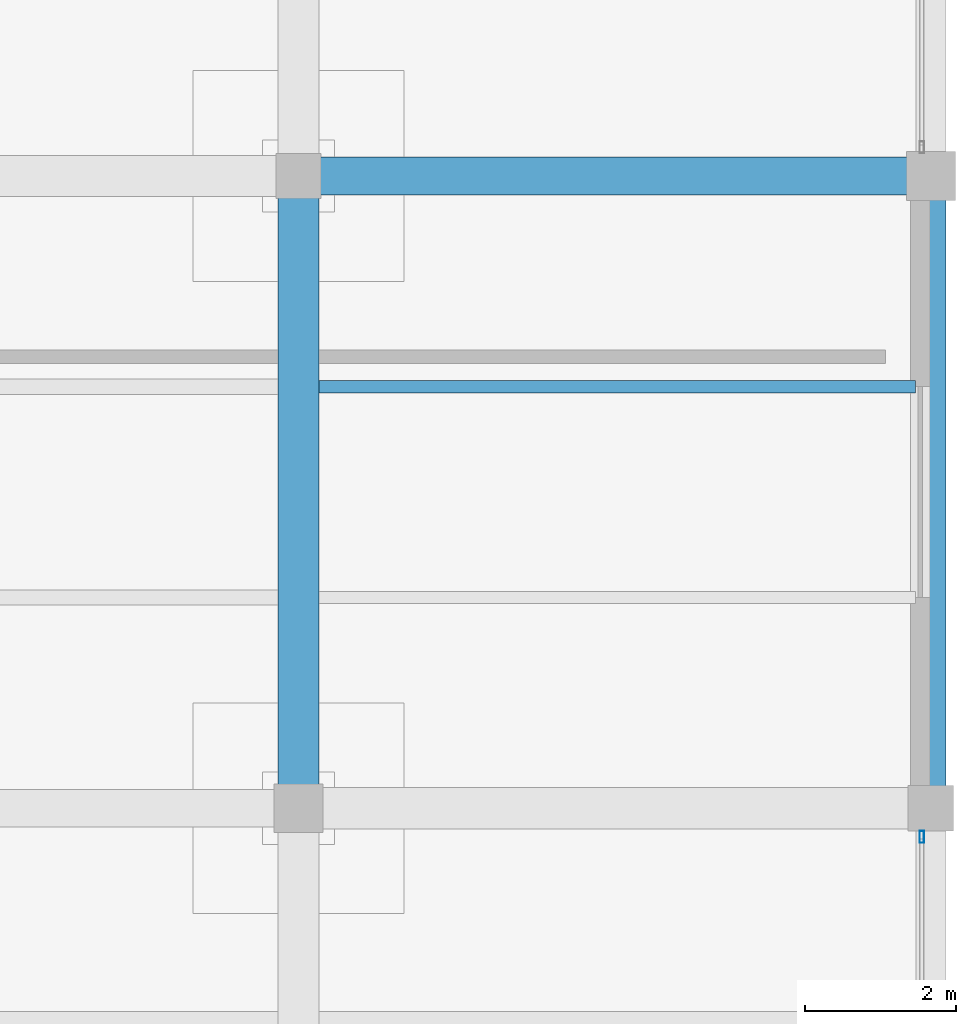
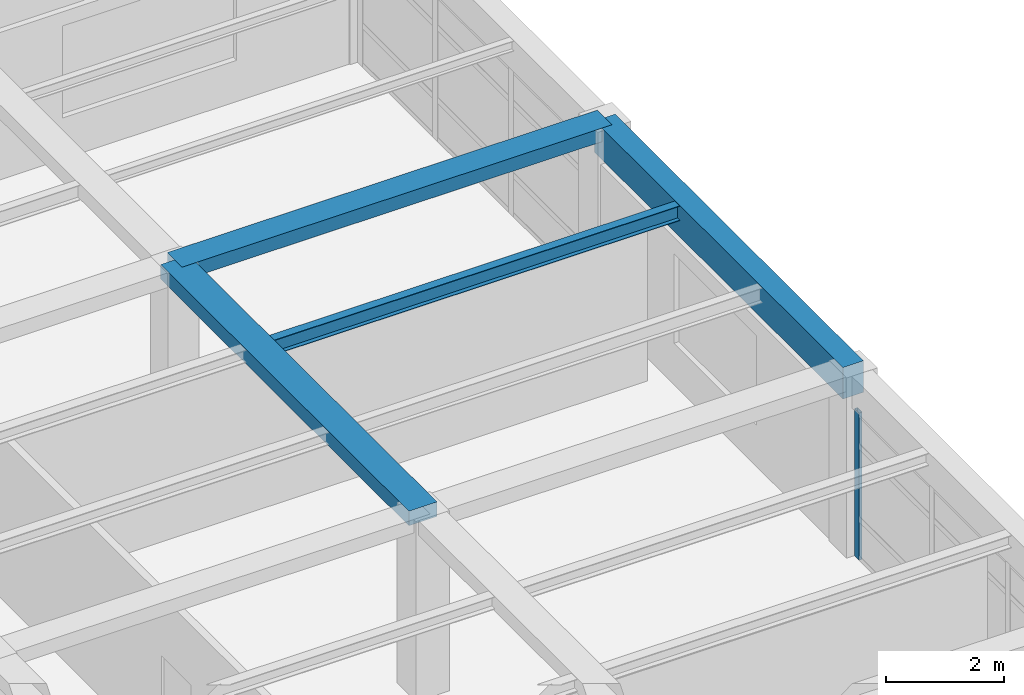
# One storey, part 14 of 25: 4 beams, 1 member, 1 element without a shape of its own.
"""IFC4 building model written with IfcOpenShell, lengths in metres."""

from ifc_helpers import new_model, si_unit, direction, frame, origin, origin_2d, place, context, subcontext, project, spatial, rectangle, hollow_rectangle, i_section, extrude, material, material_profile, profile_set, type_object, element, aggregate, save


model = new_model("IFC4")

# Units and contexts
model_context = context("Model", 3, precision=1e-05, world=origin(), true_north=direction((0.0, 1.0)))
body_context = subcontext(model_context, "Body", "Model", "MODEL_VIEW")
ifc_project = project(units=[si_unit("LENGTHUNIT", "METRE"), si_unit("AREAUNIT", "SQUARE_METRE"), si_unit("VOLUMEUNIT", "CUBIC_METRE"), si_unit("PLANEANGLEUNIT", "RADIAN"), si_unit("MASSUNIT", "GRAM", prefix="KILO")], contexts=[model_context])

# Site, building, storey
site_placement = place(None, origin())
site = spatial("IfcSite", under=ifc_project, at=site_placement, CompositionType="ELEMENT")
building_placement = place(site_placement, origin())
building = spatial("IfcBuilding", under=site, at=building_placement, Name="Almacenes y Pasaje Nevantli", CompositionType="ELEMENT")
storey_placement = place(building_placement, frame((0.0, 0.0, 50.699951171875)))
storey = spatial("IfcBuildingStorey", under=building, at=storey_placement, Name="L12", CompositionType="ELEMENT", Elevation=50.699951171875)

# Beams
ifc_material_1 = material(Name="Concrete C35/45", Category="concrete")
ifc_material_profile_1 = material_profile(ifc_material_1, rectangle(XDim=0.39990234375, YDim=0.64990234375, at=origin_2d()), Name="RC-BM-400x650")
ifc_profile_set_1 = profile_set([ifc_material_profile_1], Name="Concrete C35/45")
beam_type_1 = type_object("IfcBeamType", Name="BM-RC-400x650", PredefinedType="SPANDREL", material=ifc_profile_set_1)
beam_1_placement = place(storey_placement, frame((159.60009765625, 84.0, 3.39501953125), z_axis=(0.0, 1.0, 0.0), x_axis=(-1.0, 0.0, 0.0)))
element("IfcBeam", 1, at=beam_1_placement, inside=storey, type_object=beam_type_1, Name="L12 North-South Reinforced Concrete Beam #3936", PredefinedType="SPANDREL", context=body_context, shape_type="SweptSolid", body=[
    extrude(rectangle(XDim=0.39990234375, YDim=0.64990234375, at=origin_2d()), origin(), (0.0, 0.0, 1.0), 8.39990234375),
])
ifc_material_2 = material(Name="Concrete C35/45", Category="concrete")
ifc_material_profile_2 = material_profile(ifc_material_2, rectangle(XDim=0.5, YDim=0.280029296875, at=origin_2d()), Name="RC-BM-500x280")
ifc_profile_set_2 = profile_set([ifc_material_profile_2], Name="Concrete C35/45")
beam_type_2 = type_object("IfcBeamType", Name="BM-RC-500x280", PredefinedType="BEAM", material=ifc_profile_set_2)
beam_2_placement = place(storey_placement, frame((151.199951171875, 92.39990234375, 3.580078125), z_axis=(1.0, 0.0, 0.0), x_axis=(0.0, 1.0, 0.0)))
element("IfcBeam", 2, at=beam_2_placement, inside=storey, type_object=beam_type_2, Name="L12 East-West Reinforced Concrete Beam #3910", PredefinedType="BEAM", context=body_context, shape_type="SweptSolid", body=[
    extrude(rectangle(XDim=0.5, YDim=0.280029296875, at=origin_2d()), origin(), (0.0, 0.0, 1.0), 8.400146484375),
])
ifc_material_3 = material(Name="Concrete C35/45", Category="concrete")
ifc_material_profile_3 = material_profile(ifc_material_3, rectangle(XDim=0.550048828125, YDim=0.300048828125, at=origin_2d()), Name="RC-BM-550x300")
ifc_profile_set_3 = profile_set([ifc_material_profile_3], Name="Concrete C35/45")
beam_type_3 = type_object("IfcBeamType", Name="BM-RC-550x300", PredefinedType="BEAM", material=ifc_profile_set_3)
beam_3_placement = place(storey_placement, frame((151.199951171875, 84.0, 3.570068359375), z_axis=(0.0, 1.0, 0.0), x_axis=(-1.0, 0.0, 0.0)))
element("IfcBeam", 3, at=beam_3_placement, inside=storey, type_object=beam_type_3, Name="L12 North-South Reinforced Concrete Beam #3932", PredefinedType="BEAM", context=body_context, shape_type="SweptSolid", body=[
    extrude(rectangle(XDim=0.550048828125, YDim=0.300048828125, at=origin_2d()), origin(), (0.0, 0.0, 1.0), 8.39990234375),
])
ifc_material_4 = material(Name="Steel ASTM A992", Category="steel")
ifc_material_profile_4 = material_profile(ifc_material_4, i_section(OverallWidth=0.1650390625, OverallDepth=0.306884765625, WebThickness=0.006591796875, FlangeThickness=0.01025390625, at=origin_2d()), Name="IR 305x44.6")
ifc_profile_set_4 = profile_set([ifc_material_profile_4], Name="Steel ASTM A992")
beam_type_4 = type_object("IfcBeamType", Name="BM-STL-IR-305x44p6", PredefinedType="JOIST", material=ifc_profile_set_4)
beam_4_placement = place(storey_placement, frame((151.47509765625, 89.60009765625, 3.55859375), z_axis=(1.0, 0.0, 0.0), x_axis=(0.0, 1.0, 0.0)))
element("IfcBeam", 4, at=beam_4_placement, inside=storey, type_object=beam_type_4, Name="L12 Secondary Steel Floor Joist #1564", PredefinedType="JOIST", context=body_context, shape_type="SweptSolid", body=[
    extrude(i_section(OverallWidth=0.1650390625, OverallDepth=0.306884765625, WebThickness=0.006591796875, FlangeThickness=0.01025390625, at=origin_2d()), origin(), (0.0, 0.0, 1.0), 7.9248046875),
])

# Curtain wall, member
ifc_material_5 = material(Name="Thermally Broken Aluminium and Low-E Glass", Category="aluminium")
curtain_wall_type = type_object("IfcCurtainWallType", Name="CW-UNIT-TOWER", PredefinedType="USERDEFINED", material=ifc_material_5)
curtain_wall_placement = place(storey_placement, origin())
curtain_wall = element("IfcCurtainWall", 5, at=curtain_wall_placement, inside=storey, type_object=curtain_wall_type, Name="L12 Tower East Curtain Wall Bay 10", ObjectType="UNITIZED CURTAIN WALL", PredefinedType="USERDEFINED")
ifc_material_6 = material(Name="Thermally Broken Anodized Aluminium", Category="aluminium")
ifc_material_profile_5 = material_profile(ifc_material_6, hollow_rectangle(XDim=0.06005859375, YDim=0.159912109375, WallThickness=0.00390625, at=origin_2d()), Name="ALU-MUL-60x160")
ifc_profile_set_5 = profile_set([ifc_material_profile_5], Name="Thermally Broken Anodized Aluminium")
member_type = type_object("IfcMemberType", Name="CW-MUL-180", PredefinedType="MULLION", material=ifc_profile_set_5)
member_placement = place(storey_placement, frame((159.47998046875, 83.6201171875, 0.0), z_axis=(0.0, 0.0, 1.0), x_axis=(-1.0, 0.0, 0.0)))
member = element("IfcMember", 6, at=member_placement, type_object=member_type, Name="CW-L12-165 mullion 4", PredefinedType="MULLION", context=body_context, shape_type="SweptSolid", body=[
    extrude(hollow_rectangle(XDim=0.06005859375, YDim=0.159912109375, WallThickness=0.00390625, at=origin_2d()), origin(), (0.0, 0.0, 1.0), 3.0400390625),
])
aggregate(curtain_wall, [member])

save(model, "model.ifc")
